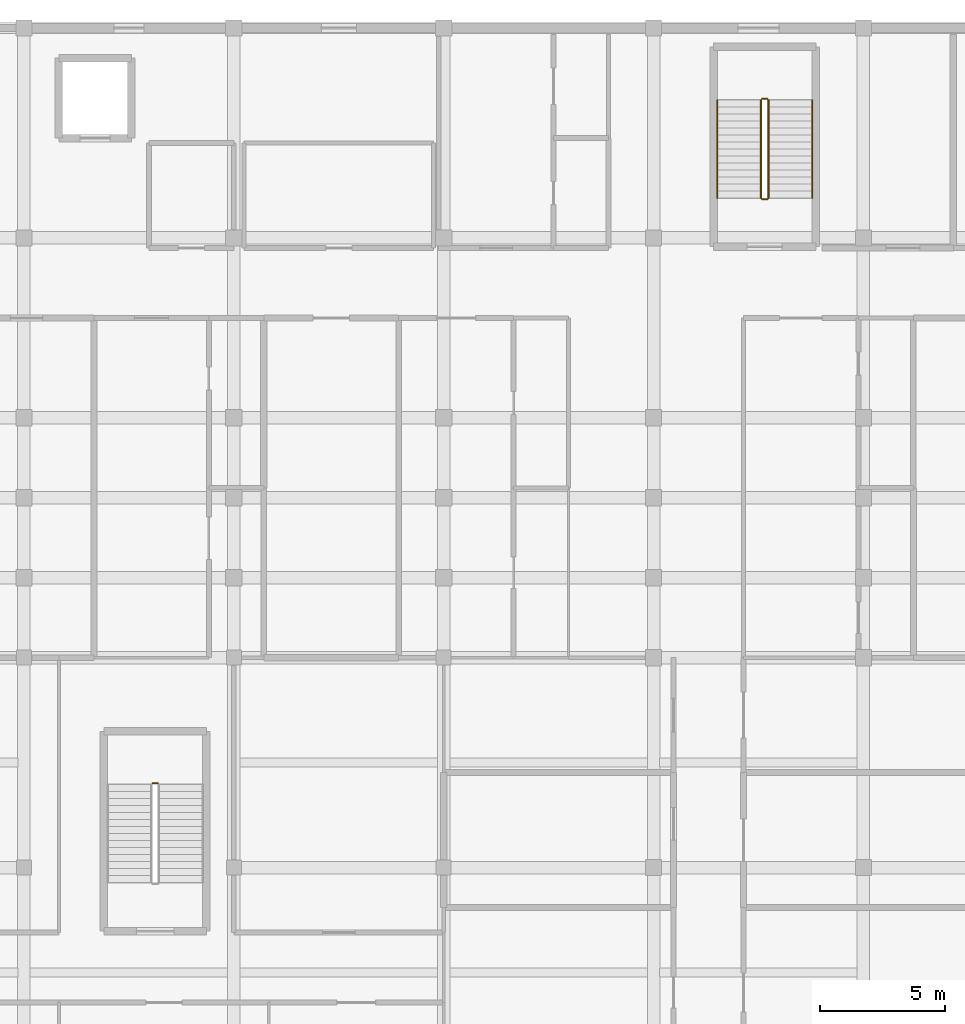
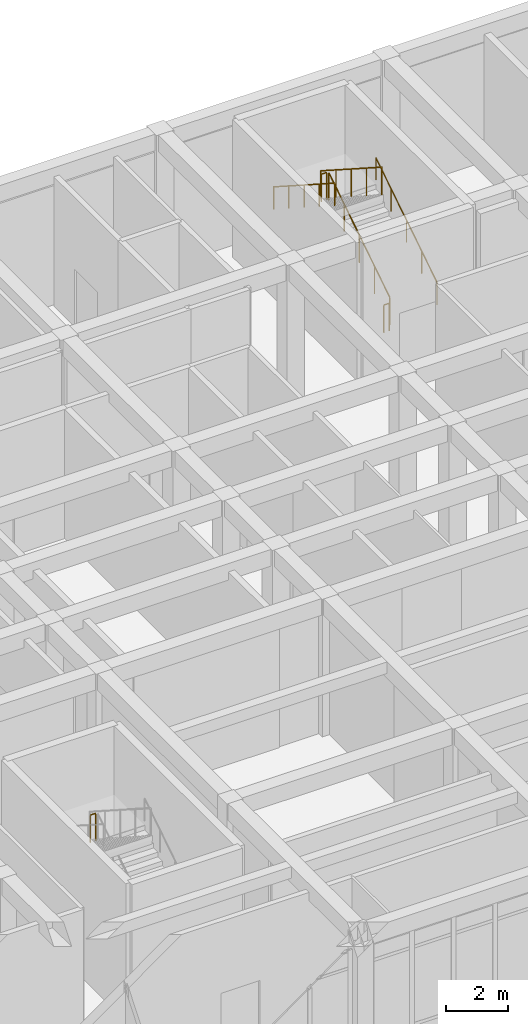
# One storey, part 88 of 89: 7 railings.
"""IFC4 building model written with IfcOpenShell, lengths in metres."""

from ifc_helpers import new_model, si_unit, direction, frame, origin, origin_2d, place, context, subcontext, project, spatial, circle, extrude, material, type_object, element, save


model = new_model("IFC4")

# Units and contexts
model_context = context("Model", 3, precision=1e-05, world=origin(), true_north=direction((0.0, 1.0)))
body_context = subcontext(model_context, "Body", "Model", "MODEL_VIEW")
ifc_project = project(units=[si_unit("LENGTHUNIT", "METRE"), si_unit("AREAUNIT", "SQUARE_METRE"), si_unit("VOLUMEUNIT", "CUBIC_METRE"), si_unit("PLANEANGLEUNIT", "RADIAN"), si_unit("MASSUNIT", "GRAM", prefix="KILO")], contexts=[model_context])

# Site, building, storey
site_placement = place(None, origin())
site = spatial("IfcSite", under=ifc_project, at=site_placement, CompositionType="ELEMENT")
building_placement = place(site_placement, origin())
building = spatial("IfcBuilding", under=site, at=building_placement, Name="Varncliffe General Hospital", CompositionType="ELEMENT")
storey_placement = place(building_placement, frame((0.0, 0.0, 10.800048828125)))
storey = spatial("IfcBuildingStorey", under=building, at=storey_placement, Name="L02", CompositionType="ELEMENT", Elevation=10.800048828125)

# Railings
ifc_material = material(Name="Powder-coated hospital steel guardrail and handrail", Category="steel")
railing_type_1 = type_object("IfcRailingType", Name="Stair and Ramp Handrail HR46", PredefinedType="HANDRAIL", material=ifc_material)
railing_1_placement = place(storey_placement, frame((165.949951171875, 118.0, 0.364013671875)))
element("IfcRailing", 1, at=railing_1_placement, inside=storey, type_object=railing_type_1, Name="L02 ST04 stair handrail 1", PredefinedType="HANDRAIL", context=body_context, shape_type="SweptSolid", body=[
    extrude(circle(Radius=0.02392578125, at=origin_2d()), frame((0.0, 0.0, 0.8759765625), z_axis=(0.0, 0.841171666519, 0.540768182723), x_axis=(-1.0, 0.0, 0.0)), (0.0, 0.0, 1.0), 4.66015625),
    extrude(circle(Radius=0.02099609375, at=origin_2d()), origin(), (0.0, 0.0, 1.0), 0.851806640625),
    extrude(circle(Radius=0.02099609375, at=origin_2d()), frame((0.0, 0.97998046875, 0.6298828125)), (0.0, 0.0, 1.0), 0.851806640625),
    extrude(circle(Radius=0.02099609375, at=origin_2d()), frame((0.0, 1.9599609375, 1.260009765625)), (0.0, 0.0, 1.0), 0.851806640625),
    extrude(circle(Radius=0.02099609375, at=origin_2d()), frame((0.0, 2.93994140625, 1.89013671875)), (0.0, 0.0, 1.0), 0.851806640625),
    extrude(circle(Radius=0.02099609375, at=origin_2d()), frame((0.0, 3.919921875, 2.52001953125)), (0.0, 0.0, 1.0), 0.851806640625),
])
railing_2_placement = place(storey_placement, frame((162.14990234375, 121.919921875, 3.06396484375)))
element("IfcRailing", 2, at=railing_2_placement, inside=storey, type_object=railing_type_1, Name="L02 ST04 stair handrail 2", PredefinedType="HANDRAIL", context=body_context, shape_type="SweptSolid", body=[
    extrude(circle(Radius=0.02392578125, at=origin_2d()), frame((0.0, 0.0, 0.8759765625), z_axis=(0.0, -0.841171666519, 0.540768182723), x_axis=(1.0, 0.0, 0.0)), (0.0, 0.0, 1.0), 4.66015625),
    extrude(circle(Radius=0.02099609375, at=origin_2d()), origin(), (0.0, 0.0, 1.0), 0.851806640625),
    extrude(circle(Radius=0.02099609375, at=origin_2d()), frame((0.0, -0.97998046875, 0.6298828125)), (0.0, 0.0, 1.0), 0.851806640625),
    extrude(circle(Radius=0.02099609375, at=origin_2d()), frame((0.0, -1.9599609375, 1.260009765625)), (0.0, 0.0, 1.0), 0.851806640625),
    extrude(circle(Radius=0.02099609375, at=origin_2d()), frame((0.0, -2.93994140625, 1.89013671875)), (0.0, 0.0, 1.0), 0.851806640625),
    extrude(circle(Radius=0.02099609375, at=origin_2d()), frame((0.0, -3.919921875, 2.52001953125)), (0.0, 0.0, 1.0), 0.851806640625),
])
railing_type_2 = type_object("IfcRailingType", Name="Stairwell Guardrail SG49", PredefinedType="GUARDRAIL", material=ifc_material)
railing_3_placement = place(storey_placement, frame((164.199951171875, 118.0, 0.179931640625)))
element("IfcRailing", 3, at=railing_3_placement, inside=storey, type_object=railing_type_2, Name="L02 ST04 stair guard 1", PredefinedType="GUARDRAIL", context=body_context, shape_type="SweptSolid", body=[
    extrude(circle(Radius=0.02392578125, at=origin_2d()), frame((0.0, 0.0, 1.076171875), z_axis=(0.0, 0.841171666519, 0.540768182723), x_axis=(-1.0, 0.0, 0.0)), (0.0, 0.0, 1.0), 4.66015625),
    extrude(circle(Radius=0.02099609375, at=origin_2d()), origin(), (0.0, 0.0, 1.0), 1.052001953125),
    extrude(circle(Radius=0.02099609375, at=origin_2d()), frame((0.0, 0.97998046875, 0.6298828125)), (0.0, 0.0, 1.0), 1.052001953125),
    extrude(circle(Radius=0.02099609375, at=origin_2d()), frame((0.0, 1.9599609375, 1.260009765625)), (0.0, 0.0, 1.0), 1.052001953125),
    extrude(circle(Radius=0.02099609375, at=origin_2d()), frame((0.0, 2.93994140625, 1.89013671875)), (0.0, 0.0, 1.0), 1.052001953125),
    extrude(circle(Radius=0.02099609375, at=origin_2d()), frame((0.0, 3.919921875, 2.52001953125)), (0.0, 0.0, 1.0), 1.052001953125),
])
railing_4_placement = place(storey_placement, frame((164.14990234375, 121.969970703125, 2.699951171875)))
element("IfcRailing", 4, at=railing_4_placement, inside=storey, type_object=railing_type_2, Name="L02 ST04 stair guard 2", PredefinedType="GUARDRAIL", context=body_context, shape_type="SweptSolid", body=[
    extrude(circle(Radius=0.02392578125, at=origin_2d()), frame((0.0, 0.0, 1.076171875), z_axis=(-1.0, 0.0, 0.0), x_axis=(0.0, -1.0, 0.0)), (0.0, 0.0, 1.0), 0.199951171875),
    extrude(circle(Radius=0.02099609375, at=origin_2d()), origin(), (0.0, 0.0, 1.0), 1.052001953125),
    extrude(circle(Radius=0.02099609375, at=origin_2d()), frame((-0.199951171875, 0.0, 0.0)), (0.0, 0.0, 1.0), 1.052001953125),
])
railing_5_placement = place(storey_placement, frame((163.89990234375, 121.919921875, 2.8798828125)))
element("IfcRailing", 5, at=railing_5_placement, inside=storey, type_object=railing_type_2, Name="L02 ST04 stair guard 3", PredefinedType="GUARDRAIL", context=body_context, shape_type="SweptSolid", body=[
    extrude(circle(Radius=0.02392578125, at=origin_2d()), frame((0.0, 0.0, 1.076171875), z_axis=(0.0, -0.841171666519, 0.540768182723), x_axis=(1.0, 0.0, 0.0)), (0.0, 0.0, 1.0), 4.66015625),
    extrude(circle(Radius=0.02099609375, at=origin_2d()), origin(), (0.0, 0.0, 1.0), 1.052001953125),
    extrude(circle(Radius=0.02099609375, at=origin_2d()), frame((0.0, -0.97998046875, 0.6298828125)), (0.0, 0.0, 1.0), 1.052001953125),
    extrude(circle(Radius=0.02099609375, at=origin_2d()), frame((0.0, -1.9599609375, 1.260009765625)), (0.0, 0.0, 1.0), 1.052001953125),
    extrude(circle(Radius=0.02099609375, at=origin_2d()), frame((0.0, -2.93994140625, 1.89013671875)), (0.0, 0.0, 1.0), 1.052001953125),
    extrude(circle(Radius=0.02099609375, at=origin_2d()), frame((0.0, -3.919921875, 2.52001953125)), (0.0, 0.0, 1.0), 1.052001953125),
])
for number, where, name in (
    (6, (164.14990234375, 117.949951171875, 0.0), "L02 ST04 stair guard 4"),
    (7, (139.75, 94.570068359375, 2.699951171875), "L02 ST14 stair guard 2"),
):
    element("IfcRailing", number, at=place(storey_placement, frame(where)), inside=storey, type_object=railing_type_2, Name=name, PredefinedType="GUARDRAIL", context=body_context, shape_type="SweptSolid", body=[
        extrude(circle(Radius=0.02392578125, at=origin_2d()), frame((0.0, 0.0, 1.076171875), z_axis=(-1.0, 0.0, 0.0), x_axis=(0.0, -1.0, 0.0)), (0.0, 0.0, 1.0), 0.199951171875),
        extrude(circle(Radius=0.02099609375, at=origin_2d()), origin(), (0.0, 0.0, 1.0), 1.052001953125),
        extrude(circle(Radius=0.02099609375, at=origin_2d()), frame((-0.199951171875, 0.0, 0.0)), (0.0, 0.0, 1.0), 1.052001953125),
    ])

save(model, "model.ifc")
